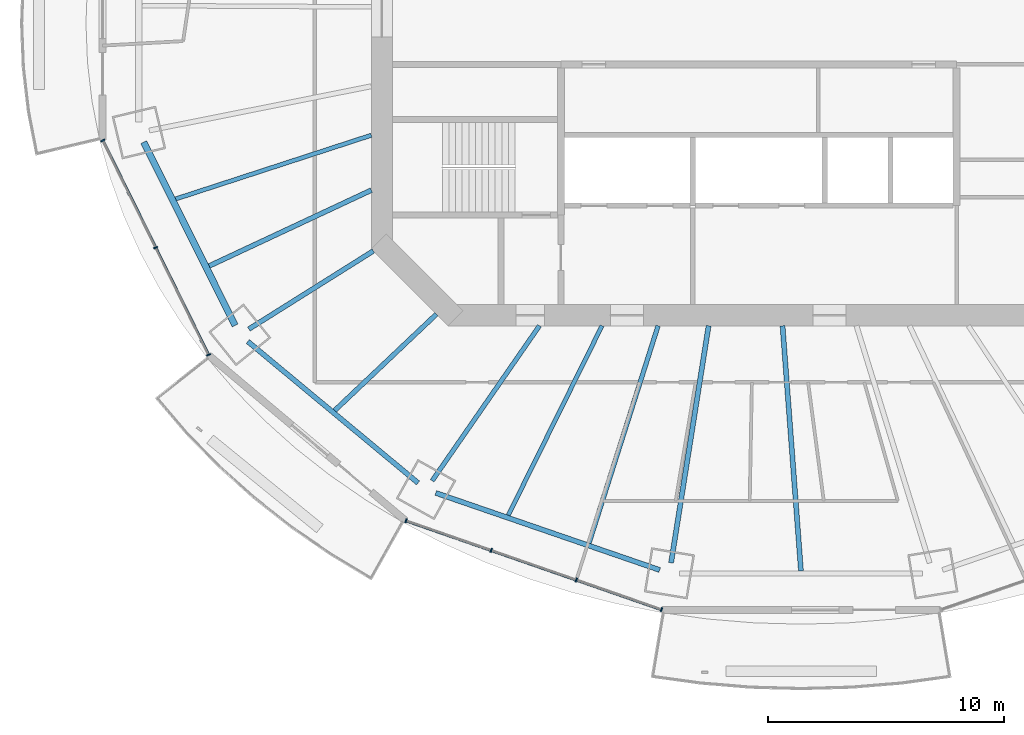
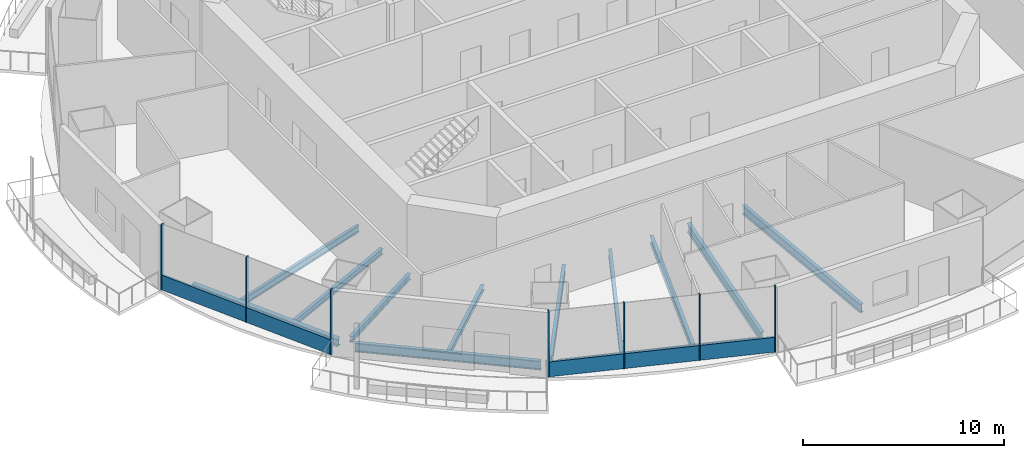
# One storey, part 2 of 19: 12 beams, 9 members, 2 elements without a shape of their own.
"""IFC4 building model written with IfcOpenShell, lengths in metres."""

from ifc_helpers import new_model, si_unit, direction, frame, origin, origin_2d, place, context, subcontext, project, spatial, rectangle, i_section, extrude, material, material_profile, profile_set, type_object, element, aggregate, save


model = new_model("IFC4")

# Units and contexts
model_context = context("Model", 3, precision=1e-05, world=origin(), true_north=direction((0.0, 1.0)))
body_context = subcontext(model_context, "Body", "Model", "MODEL_VIEW")
ifc_project = project(units=[si_unit("LENGTHUNIT", "METRE"), si_unit("AREAUNIT", "SQUARE_METRE"), si_unit("VOLUMEUNIT", "CUBIC_METRE"), si_unit("PLANEANGLEUNIT", "RADIAN"), si_unit("MASSUNIT", "GRAM", prefix="KILO")], contexts=[model_context])

# Site, building, storey
site_placement = place(None, origin())
site = spatial("IfcSite", under=ifc_project, at=site_placement, CompositionType="ELEMENT")
building_placement = place(site_placement, origin())
building = spatial("IfcBuilding", under=site, at=building_placement, Name="Marenthal Gate Tower", CompositionType="ELEMENT")
storey_placement = place(building_placement, frame((0.0, 0.0, 239.89990234375)))
storey = spatial("IfcBuildingStorey", under=building, at=storey_placement, Name="L53", CompositionType="ELEMENT", Elevation=239.89990234375)

# Curtain wall, members
ifc_material_1 = material(Name="Aluminium and glass", Category="aluminium")
curtain_wall_type = type_object("IfcCurtainWallType", Name="Curtain wall typical mid", PredefinedType="NOTDEFINED", material=ifc_material_1)
curtain_wall_1_placement = place(storey_placement, origin())
curtain_wall_1 = element("IfcCurtainWall", 1, at=curtain_wall_1_placement, inside=storey, type_object=curtain_wall_type, Name="Curtain wall L53 bay 9", PredefinedType="NOTDEFINED")
ifc_material_2 = material(Name="Aluminium", Category="aluminium")
ifc_material_profile_1 = material_profile(ifc_material_2, rectangle(XDim=0.179931640625, YDim=0.06005859375, at=origin_2d()), Name="60x180 aluminium mullion")
ifc_profile_set_1 = profile_set([ifc_material_profile_1], Name="Aluminium")
member_type_1 = type_object("IfcMemberType", Name="Mullion 60x180 typical mid", PredefinedType="MULLION", material=ifc_profile_set_1)
member_1_placement = place(storey_placement, frame((-27.8505859375, -5.58203125, 0.0), z_axis=(0.0, 0.0, 1.0), x_axis=(0.896835471663, 0.442364258013, 0.0)))
member_1 = element("IfcMember", 2, at=member_1_placement, type_object=member_type_1, Name="Mullion L53 bay 9.1", PredefinedType="MULLION", context=body_context, shape_type="SweptSolid", body=[
    extrude(rectangle(XDim=0.179931640625, YDim=0.06005859375, at=origin_2d()), origin(), (0.0, 0.0, 1.0), 3.97021484375),
])
member_2_placement = place(storey_placement, frame((-25.60595703125, -10.133056640625, 0.0), z_axis=(0.0, 0.0, 1.0), x_axis=(0.896835471663, 0.442364258013, 0.0)))
member_2 = element("IfcMember", 3, at=member_2_placement, type_object=member_type_1, Name="Mullion L53 bay 9.2", PredefinedType="MULLION", context=body_context, shape_type="SweptSolid", body=[
    extrude(rectangle(XDim=0.179931640625, YDim=0.06005859375, at=origin_2d()), origin(), (0.0, 0.0, 1.0), 3.97021484375),
])
member_3_placement = place(storey_placement, frame((-23.361083984375, -14.68408203125, 0.0), z_axis=(0.0, 0.0, 1.0), x_axis=(0.896835471663, 0.442364258013, 0.0)))
member_3 = element("IfcMember", 4, at=member_3_placement, type_object=member_type_1, Name="Mullion L53 bay 9.3", PredefinedType="MULLION", context=body_context, shape_type="SweptSolid", body=[
    extrude(rectangle(XDim=0.179931640625, YDim=0.06005859375, at=origin_2d()), origin(), (0.0, 0.0, 1.0), 3.97021484375),
])

curtain_wall_2_placement = place(storey_placement, origin())
curtain_wall_2 = element("IfcCurtainWall", 5, at=curtain_wall_2_placement, inside=storey, type_object=curtain_wall_type, Name="Curtain wall L53 bay 11", PredefinedType="NOTDEFINED")
member_4_placement = place(storey_placement, frame((-14.974853515625, -21.728271484375, 0.0), z_axis=(0.0, 0.0, 1.0), x_axis=(0.328540448732, 0.944489901241, 0.0)))
member_4 = element("IfcMember", 6, at=member_4_placement, type_object=member_type_1, Name="Mullion L53 bay 11.1", PredefinedType="MULLION", context=body_context, shape_type="SweptSolid", body=[
    extrude(rectangle(XDim=0.179931640625, YDim=0.06005859375, at=origin_2d()), origin(), (0.0, 0.0, 1.0), 3.97021484375),
])
member_5_placement = place(storey_placement, frame((-11.359619140625, -22.98583984375, 0.0), z_axis=(0.0, 0.0, 1.0), x_axis=(0.328540448732, 0.944489901241, 0.0)))
member_5 = element("IfcMember", 7, at=member_5_placement, type_object=member_type_1, Name="Mullion L53 bay 11.2", PredefinedType="MULLION", context=body_context, shape_type="SweptSolid", body=[
    extrude(rectangle(XDim=0.179931640625, YDim=0.06005859375, at=origin_2d()), origin(), (0.0, 0.0, 1.0), 3.97021484375),
])
member_6_placement = place(storey_placement, frame((-7.744140625, -24.24365234375, 0.0), z_axis=(0.0, 0.0, 1.0), x_axis=(0.328540448732, 0.944489901241, 0.0)))
member_6 = element("IfcMember", 8, at=member_6_placement, type_object=member_type_1, Name="Mullion L53 bay 11.3", PredefinedType="MULLION", context=body_context, shape_type="SweptSolid", body=[
    extrude(rectangle(XDim=0.179931640625, YDim=0.06005859375, at=origin_2d()), origin(), (0.0, 0.0, 1.0), 3.97021484375),
])
member_7_placement = place(storey_placement, frame((-4.12890625, -25.501220703125, 0.0), z_axis=(0.0, 0.0, 1.0), x_axis=(0.328540448732, 0.944489901241, 0.0)))
member_7 = element("IfcMember", 9, at=member_7_placement, type_object=member_type_1, Name="Mullion L53 bay 11.4", PredefinedType="MULLION", context=body_context, shape_type="SweptSolid", body=[
    extrude(rectangle(XDim=0.179931640625, YDim=0.06005859375, at=origin_2d()), origin(), (0.0, 0.0, 1.0), 3.97021484375),
])

# Member
ifc_material_3 = material(Name="Aluminium", Category="aluminium")
ifc_material_profile_2 = material_profile(ifc_material_3, rectangle(XDim=0.1201171875, YDim=0.89990234375, at=origin_2d()), Name="120x900 aluminium transom")
ifc_profile_set_2 = profile_set([ifc_material_profile_2], Name="Aluminium")
member_type_2 = type_object("IfcMemberType", Name="Transom 120x900 typical mid", PredefinedType="USERDEFINED", material=ifc_profile_set_2)
member_8_placement = place(storey_placement, frame((-27.83740234375, -5.60888671875, 0.4501953125), z_axis=(0.442377007868, -0.896829182682, 0.0), x_axis=(0.896829182682, 0.442377007868, 0.0)))
member_8 = element("IfcMember", 10, at=member_8_placement, type_object=member_type_2, Name="Transom L53 bay 9", ObjectType="TRANSOM", PredefinedType="USERDEFINED", context=body_context, shape_type="SweptSolid", body=[
    extrude(rectangle(XDim=0.1201171875, YDim=0.89990234375, at=origin_2d()), origin(), (0.0, 0.0, 1.0), 10.0888671875),
])

aggregate(curtain_wall_1, [member_1, member_2, member_3, member_8])

member_9_placement = place(storey_placement, frame((-14.946533203125, -21.73828125, 0.4501953125), z_axis=(0.944493336766, -0.328530572099, 0.0), x_axis=(0.328530572099, 0.944493336766, 0.0)))
member_9 = element("IfcMember", 11, at=member_9_placement, type_object=member_type_2, Name="Transom L53 bay 11", ObjectType="TRANSOM", PredefinedType="USERDEFINED", context=body_context, shape_type="SweptSolid", body=[
    extrude(rectangle(XDim=0.1201171875, YDim=0.89990234375, at=origin_2d()), origin(), (0.0, 0.0, 1.0), 11.42333984375),
])

aggregate(curtain_wall_2, [member_4, member_5, member_6, member_7, member_9])

# Beams
ifc_material_4 = material(Name="Steel S355", Category="steel")
ifc_material_profile_3 = material_profile(ifc_material_4, i_section(OverallWidth=0.202880859375, OverallDepth=0.302001953125, WebThickness=0.007568359375, FlangeThickness=0.01318359375, FilletRadius=0.0126953125, at=origin_2d()), Name="W310X60")
ifc_profile_set_3 = profile_set([ifc_material_profile_3], Name="Steel S355")
beam_type_1 = type_object("IfcBeamType", Name="W310X60 beam", PredefinedType="BEAM", material=ifc_profile_set_3)
beam_1_placement = place(storey_placement, frame((-18.002197265625, -17.04541015625, -0.330810546875), z_axis=(0.726148890655, 0.687537481597, 0.0), x_axis=(-0.687537481597, 0.726148890655, 0.0)))
element("IfcBeam", 12, at=beam_1_placement, inside=storey, type_object=beam_type_1, Name="BM-L53-31", PredefinedType="BEAM", context=body_context, shape_type="SweptSolid", body=[
    extrude(i_section(OverallWidth=0.202880859375, OverallDepth=0.302001953125, WebThickness=0.007568359375, FlangeThickness=0.01318359375, FilletRadius=0.0126953125, at=origin_2d()), origin(), (0.0, 0.0, 1.0), 5.949951171875),
])
ifc_material_5 = material(Name="Steel S355", Category="steel")
ifc_material_profile_4 = material_profile(ifc_material_5, i_section(OverallWidth=0.205078125, OverallDepth=0.35302734375, WebThickness=0.009521484375, FlangeThickness=0.016845703125, FilletRadius=0.014892578125, at=origin_2d()), Name="W360X79")
ifc_profile_set_4 = profile_set([ifc_material_profile_4], Name="Steel S355")
beam_type_2 = type_object("IfcBeamType", Name="W360X79 beam", PredefinedType="BEAM", material=ifc_profile_set_4)
beam_2_placement = place(storey_placement, frame((-21.6474609375, -13.59033203125, -0.3564453125), z_axis=(0.846932607318, 0.531700252644, 0.0), x_axis=(-0.531700252644, 0.846932607318, 0.0)))
element("IfcBeam", 13, at=beam_2_placement, inside=storey, type_object=beam_type_2, Name="BM-L53-10", PredefinedType="BEAM", context=body_context, shape_type="SweptSolid", body=[
    extrude(i_section(OverallWidth=0.205078125, OverallDepth=0.35302734375, WebThickness=0.009521484375, FlangeThickness=0.016845703125, FilletRadius=0.014892578125, at=origin_2d()), origin(), (0.0, 0.0, 1.0), 6.2392578125),
])
beam_3_placement = place(storey_placement, frame((-23.33447265625, -10.911865234375, -0.3564453125), z_axis=(0.905857061392, 0.423583503369, 0.0), x_axis=(-0.423583503369, 0.905857061392, 0.0)))
element("IfcBeam", 14, at=beam_3_placement, inside=storey, type_object=beam_type_2, Name="BM-L53-30", PredefinedType="BEAM", context=body_context, shape_type="SweptSolid", body=[
    extrude(i_section(OverallWidth=0.205078125, OverallDepth=0.35302734375, WebThickness=0.009521484375, FlangeThickness=0.016845703125, FilletRadius=0.014892578125, at=origin_2d()), origin(), (0.0, 0.0, 1.0), 7.60009765625),
])
ifc_material_6 = material(Name="Steel S355", Category="steel")
ifc_material_profile_5 = material_profile(ifc_material_6, i_section(OverallWidth=0.180908203125, OverallDepth=0.4169921875, WebThickness=0.010986328125, FlangeThickness=0.018310546875, FilletRadius=0.01025390625, at=origin_2d()), Name="W410X85")
ifc_profile_set_5 = profile_set([ifc_material_profile_5], Name="Steel S355")
beam_type_3 = type_object("IfcBeamType", Name="W410X85 beam", PredefinedType="BEAM", material=ifc_profile_set_5)
beam_4_placement = place(storey_placement, frame((-24.75341796875, -8.065185546875, -0.388427734375), z_axis=(0.950808446089, 0.309779435803, 0.0), x_axis=(-0.309779435803, 0.950808446089, 0.0)))
element("IfcBeam", 15, at=beam_4_placement, inside=storey, type_object=beam_type_3, Name="BM-L53-29", PredefinedType="BEAM", context=body_context, shape_type="SweptSolid", body=[
    extrude(i_section(OverallWidth=0.180908203125, OverallDepth=0.4169921875, WebThickness=0.010986328125, FlangeThickness=0.018310546875, FilletRadius=0.01025390625, at=origin_2d()), origin(), (0.0, 0.0, 1.0), 8.733154296875),
])
beam_5_placement = place(storey_placement, frame((-10.633544921875, -21.494384765625, -0.388427734375), z_axis=(0.443423041842, 0.89631244885, 0.0), x_axis=(-0.89631244885, 0.443423041842, 0.0)))
element("IfcBeam", 16, at=beam_5_placement, inside=storey, type_object=beam_type_3, Name="BM-L53-32", PredefinedType="BEAM", context=body_context, shape_type="SweptSolid", body=[
    extrude(i_section(OverallWidth=0.180908203125, OverallDepth=0.4169921875, WebThickness=0.010986328125, FlangeThickness=0.018310546875, FilletRadius=0.01025390625, at=origin_2d()), origin(), (0.0, 0.0, 1.0), 8.97509765625),
])
ifc_material_7 = material(Name="Steel S355", Category="steel")
ifc_material_profile_6 = material_profile(ifc_material_7, i_section(OverallWidth=0.279052734375, OverallDepth=0.4619140625, WebThickness=0.0107421875, FlangeThickness=0.017333984375, FilletRadius=0.010009765625, at=origin_2d()), Name="W460X113")
ifc_profile_set_6 = profile_set([ifc_material_profile_6], Name="Steel S355")
beam_type_4 = type_object("IfcBeamType", Name="W460X113 beam", PredefinedType="BEAM", material=ifc_profile_set_6)
beam_6_placement = place(storey_placement, frame((-26.11376953125, -5.649169921875, -0.410888671875), z_axis=(0.446135404935, -0.894965474453, 0.0), x_axis=(0.894965474453, 0.446135404935, 0.0)))
element("IfcBeam", 17, at=beam_6_placement, inside=storey, type_object=beam_type_4, Name="BM-L53-49", PredefinedType="BEAM", context=body_context, shape_type="SweptSolid", body=[
    extrude(i_section(OverallWidth=0.279052734375, OverallDepth=0.4619140625, WebThickness=0.0107421875, FlangeThickness=0.017333984375, FilletRadius=0.010009765625, at=origin_2d()), origin(), (0.0, 0.0, 1.0), 8.69775390625),
])
ifc_material_8 = material(Name="Steel S355", Category="steel")
ifc_material_profile_7 = material_profile(ifc_material_8, i_section(OverallWidth=0.193115234375, OverallDepth=0.467041015625, WebThickness=0.011474609375, FlangeThickness=0.01904296875, FilletRadius=0.010009765625, at=origin_2d()), Name="W460X97")
ifc_profile_set_7 = profile_set([ifc_material_profile_7], Name="Steel S355")
beam_type_5 = type_object("IfcBeamType", Name="W460X97 beam", PredefinedType="BEAM", material=ifc_profile_set_7)
beam_7_placement = place(storey_placement, frame((-13.86669921875, -20.031005859375, -0.413330078125), z_axis=(0.56919253172, 0.822204270138, 0.0), x_axis=(-0.822204270138, 0.56919253172, 0.0)))
element("IfcBeam", 18, at=beam_7_placement, inside=storey, type_object=beam_type_5, Name="BM-L53-11", PredefinedType="BEAM", context=body_context, shape_type="SweptSolid", body=[
    extrude(i_section(OverallWidth=0.193115234375, OverallDepth=0.467041015625, WebThickness=0.011474609375, FlangeThickness=0.01904296875, FilletRadius=0.010009765625, at=origin_2d()), origin(), (0.0, 0.0, 1.0), 8.004150390625),
])
beam_8_placement = place(storey_placement, frame((-7.20458984375, -22.6748046875, -0.413330078125), z_axis=(0.302825716361, 0.953045951416, 0.0), x_axis=(-0.953045951416, 0.302825716361, 0.0)))
element("IfcBeam", 19, at=beam_8_placement, inside=storey, type_object=beam_type_5, Name="BM-L53-33", PredefinedType="BEAM", context=body_context, shape_type="SweptSolid", body=[
    extrude(i_section(OverallWidth=0.193115234375, OverallDepth=0.467041015625, WebThickness=0.011474609375, FlangeThickness=0.01904296875, FilletRadius=0.010009765625, at=origin_2d()), origin(), (0.0, 0.0, 1.0), 9.679443359375),
])
ifc_material_9 = material(Name="Steel S355", Category="steel")
ifc_material_profile_8 = material_profile(ifc_material_9, i_section(OverallWidth=0.2099609375, OverallDepth=0.535888671875, WebThickness=0.010986328125, FlangeThickness=0.017333984375, FilletRadius=0.0126953125, at=origin_2d()), Name="W530X101")
ifc_profile_set_8 = profile_set([ifc_material_profile_8], Name="Steel S355")
beam_type_6 = type_object("IfcBeamType", Name="W530X101 beam", PredefinedType="BEAM", material=ifc_profile_set_8)
beam_9_placement = place(storey_placement, frame((1.7919921875, -23.855224609375, -0.447998046875), z_axis=(-0.074894646593, 0.997191451985, 0.0), x_axis=(-0.997191451985, -0.074894646593, 0.0)))
element("IfcBeam", 20, at=beam_9_placement, inside=storey, type_object=beam_type_6, Name="BM-L53-34", PredefinedType="BEAM", context=body_context, shape_type="SweptSolid", body=[
    extrude(i_section(OverallWidth=0.2099609375, OverallDepth=0.535888671875, WebThickness=0.010986328125, FlangeThickness=0.017333984375, FilletRadius=0.0126953125, at=origin_2d()), origin(), (0.0, 0.0, 1.0), 10.4345703125),
])
ifc_material_10 = material(Name="Steel S355", Category="steel")
ifc_material_profile_9 = material_profile(ifc_material_10, i_section(OverallWidth=0.2119140625, OverallDepth=0.5439453125, WebThickness=0.01318359375, FlangeThickness=0.021240234375, FilletRadius=0.0126953125, at=origin_2d()), Name="W530X123")
ifc_profile_set_9 = profile_set([ifc_material_profile_9], Name="Steel S355")
beam_type_7 = type_object("IfcBeamType", Name="W530X123 beam", PredefinedType="BEAM", material=ifc_profile_set_9)
beam_10_placement = place(storey_placement, frame((-3.721923828125, -23.516845703125, -0.451904296875), z_axis=(0.156321738936, 0.987706188062, 0.0), x_axis=(-0.987706188062, 0.156321738936, 0.0)))
element("IfcBeam", 21, at=beam_10_placement, inside=storey, type_object=beam_type_7, Name="BM-L53-12", PredefinedType="BEAM", context=body_context, shape_type="SweptSolid", body=[
    extrude(i_section(OverallWidth=0.2119140625, OverallDepth=0.5439453125, WebThickness=0.01318359375, FlangeThickness=0.021240234375, FilletRadius=0.0126953125, at=origin_2d()), origin(), (0.0, 0.0, 1.0), 10.192138671875),
])
beam_11_placement = place(storey_placement, frame((-21.69287109375, -14.11669921875, -0.451904296875), z_axis=(0.769123379534, -0.639100326282, 0.0), x_axis=(0.639100326282, 0.769123379534, 0.0)))
element("IfcBeam", 22, at=beam_11_placement, inside=storey, type_object=beam_type_7, Name="BM-L53-50", PredefinedType="BEAM", context=body_context, shape_type="SweptSolid", body=[
    extrude(i_section(OverallWidth=0.2119140625, OverallDepth=0.5439453125, WebThickness=0.01318359375, FlangeThickness=0.021240234375, FilletRadius=0.0126953125, at=origin_2d()), origin(), (0.0, 0.0, 1.0), 9.397705078125),
])
beam_12_placement = place(storey_placement, frame((-13.7099609375, -20.5478515625, -0.451904296875), z_axis=(0.945565649908, -0.325431408617, 0.0), x_axis=(0.325431408617, 0.945565649908, 0.0)))
element("IfcBeam", 23, at=beam_12_placement, inside=storey, type_object=beam_type_7, Name="BM-L53-51", PredefinedType="BEAM", context=body_context, shape_type="SweptSolid", body=[
    extrude(i_section(OverallWidth=0.2119140625, OverallDepth=0.5439453125, WebThickness=0.01318359375, FlangeThickness=0.021240234375, FilletRadius=0.0126953125, at=origin_2d()), origin(), (0.0, 0.0, 1.0), 10.050537109375),
])

save(model, "model.ifc")
